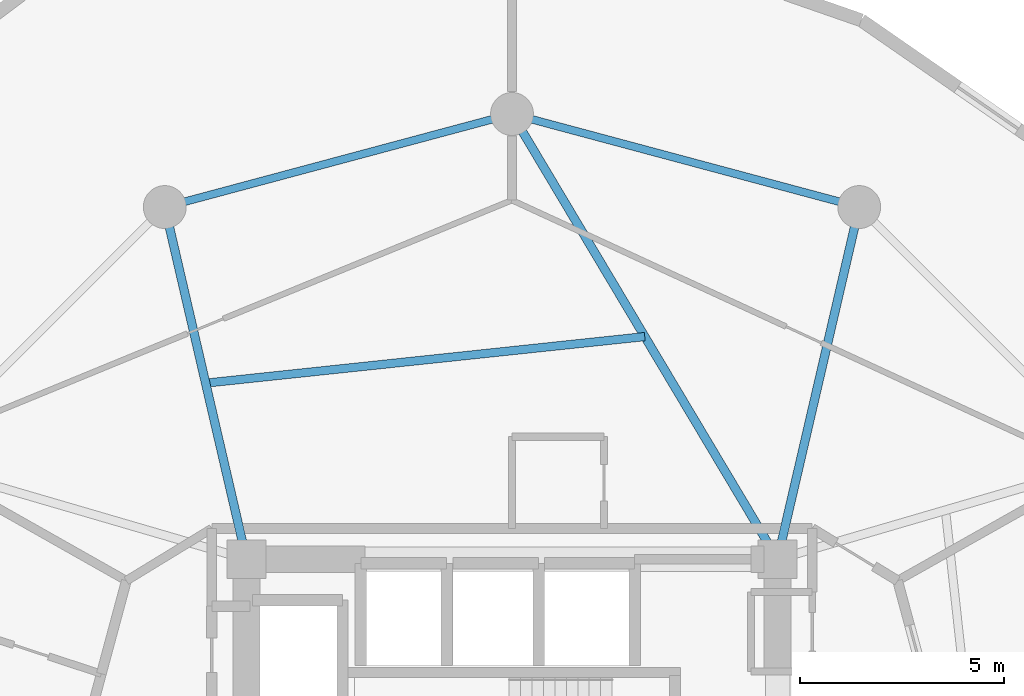
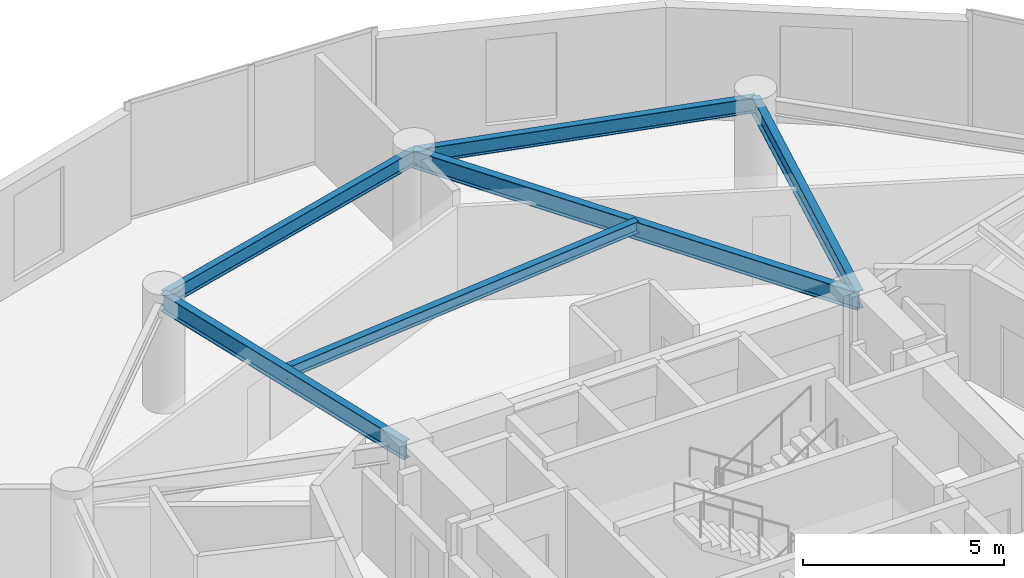
# One storey, part 14 of 23: 6 beams.
"""IFC4 building model written with IfcOpenShell, lengths in metres."""

import ifcopenshell
import ifcopenshell.guid

model = None  # the IFC model being written
_history = None  # IfcOwnerHistory: only IFC2X3 demands one
_inside = {}  # id of a spatial element -> (the spatial element, [elements in it])
_under = {}  # id of a project, library or spatial element -> (it, [spatial elements below it])
_declared = {}  # id of a project -> (the project, [libraries it declares])
_typed = {}  # id of a type object -> (the type object, [elements of that type])
_made_of = {}  # id of a material, layer set ... -> (it, [elements and type objects made of it])


def new_model(schema):
    """Start an empty IFC model of exactly this schema.

    Asked for "IFC4X3", IfcOpenShell would pick the latest addendum, in which some entities
    have other attributes; the version numbers below select the first issue.
    IFC2X3 requires an IfcOwnerHistory on every rooted entity: one is made here for all.
    """
    global model, _history
    if schema == "IFC4X3":
        model = ifcopenshell.file(schema_version=(4, 3, 0, 0))
    else:
        model = ifcopenshell.file(schema=schema)
    _inside.clear()
    _under.clear()
    _declared.clear()
    _typed.clear()
    _made_of.clear()
    _history = None
    if model.schema == "IFC2X3":
        org = make("IfcOrganization", Name="unknown")
        user = make(
            "IfcPersonAndOrganization",
            ThePerson=make("IfcPerson", FamilyName="unknown"),
            TheOrganization=org,
        )
        app = make(
            "IfcApplication",
            ApplicationDeveloper=org,
            Version="unknown",
            ApplicationFullName="unknown",
            ApplicationIdentifier="unknown",
        )
        _history = make(
            "IfcOwnerHistory",
            OwningUser=user,
            OwningApplication=app,
            ChangeAction="ADDED",
            CreationDate=0,
        )
    return model


def make(cls, **values):
    """One entity of the class cls with the attributes given. An attribute that is None is left unset."""
    return model.create_entity(
        cls, **{name: value for name, value in values.items() if value is not None}
    )


def rooted(cls, **values):
    """An entity with a GlobalId (a new one), such as an element, a storey or a relation."""
    return make(cls, GlobalId=ifcopenshell.guid.new(), OwnerHistory=_history, **values)


def si_unit(unit_type, name, prefix=None):
    """IfcSIUnit, for example si_unit("LENGTHUNIT", "METRE", prefix="MILLI")."""
    return make("IfcSIUnit", UnitType=unit_type, Prefix=prefix, Name=name)


def assignment(units):
    """IfcUnitAssignment: the units of a project."""
    return None if units is None else make("IfcUnitAssignment", Units=units)


def point(xyz):
    """IfcCartesianPoint."""
    return None if xyz is None else make("IfcCartesianPoint", Coordinates=xyz)


def direction(xyz):
    """IfcDirection."""
    return None if xyz is None else make("IfcDirection", DirectionRatios=xyz)


def frame(location, z_axis=None, x_axis=None):
    """IfcAxis2Placement3D, a coordinate frame: its origin and axes. An axis left out is left unset."""
    return make(
        "IfcAxis2Placement3D",
        Location=point(location),
        Axis=direction(z_axis),
        RefDirection=direction(x_axis),
    )


def frame_2d(location, x_axis=None):
    """IfcAxis2Placement2D, a coordinate frame in the plane: its origin and x axis."""
    return make(
        "IfcAxis2Placement2D", Location=point(location), RefDirection=direction(x_axis)
    )


def origin():
    """The frame at (0, 0, 0) with its axes left unset."""
    return frame((0.0, 0.0, 0.0))


def origin_2d():
    """The frame at (0, 0) in the plane with its x axis left unset."""
    return frame_2d((0.0, 0.0))


def place(relative_to, where):
    """IfcLocalPlacement: puts the frame where relative to a parent placement (None: the world)."""
    return make(
        "IfcLocalPlacement", PlacementRelTo=relative_to, RelativePlacement=where
    )


def context(
    kind, dimensions, precision=None, world=None, true_north=None, identifier=None
):
    """IfcGeometricRepresentationContext, for example the 3D "Model" context."""
    return make(
        "IfcGeometricRepresentationContext",
        ContextIdentifier=identifier,
        ContextType=kind,
        CoordinateSpaceDimension=dimensions,
        Precision=precision,
        WorldCoordinateSystem=world,
        TrueNorth=true_north,
    )


def subcontext(parent, identifier, kind, view, scale=None):
    """IfcGeometricRepresentationSubContext, for example "Body" below "Model"."""
    return make(
        "IfcGeometricRepresentationSubContext",
        ContextIdentifier=identifier,
        ContextType=kind,
        ParentContext=parent,
        TargetScale=scale,
        TargetView=view,
    )


def project(units=None, contexts=None):
    """IfcProject with its units and contexts."""
    return rooted(
        "IfcProject",
        Name="project",
        RepresentationContexts=contexts,
        UnitsInContext=assignment(units),
    )


def spatial(cls, under=None, at=None, **own):
    """A site, building, storey or space (cls), placed at a placement, below another one or the project."""
    s = rooted(cls, ObjectPlacement=at, **own)
    if under is not None:
        _under.setdefault(under.id(), (under, []))[1].append(s)
    return s


def profile(cls, at=None, kind="AREA", **sizes):
    """A parametric profile (cls). Its sizes go by their IFC names, for example OverallWidth=200.0."""
    return make(cls, ProfileType=kind, Position=at, **sizes)


def i_section(**sizes):
    """IfcIShapeProfileDef."""
    return profile("IfcIShapeProfileDef", **sizes)


def extrude(swept, where, along, depth):
    """IfcExtrudedAreaSolid: the profile swept, set in the frame where, extruded along a direction by depth."""
    return make(
        "IfcExtrudedAreaSolid",
        SweptArea=swept,
        Position=where,
        ExtrudedDirection=direction(along),
        Depth=depth,
    )


def shape(context_of_items, identifier, shape_type, items):
    """IfcShapeRepresentation: the items that make up one representation, for example the "Body"."""
    return make(
        "IfcShapeRepresentation",
        ContextOfItems=context_of_items,
        RepresentationIdentifier=identifier,
        RepresentationType=shape_type,
        Items=items,
    )


def material(Name=None, Category=None):
    """IfcMaterial."""
    return make("IfcMaterial", Name=Name, Category=Category)


def material_profile(
    of_material, cross_section, Name=None, Category=None, Priority=None
):
    """IfcMaterialProfile: a cross section and its material."""
    return make(
        "IfcMaterialProfile",
        Name=Name,
        Material=of_material,
        Profile=cross_section,
        Priority=Priority,
        Category=Category,
    )


def profile_set(profiles, Name=None, composite=None):
    """IfcMaterialProfileSet."""
    return make(
        "IfcMaterialProfileSet",
        Name=Name,
        MaterialProfiles=profiles,
        CompositeProfile=composite,
    )


def made_of(thing, what):
    """Note that an element or type object is made of a material, layer set ...; save() writes the relation."""
    if what is not None:
        _made_of.setdefault(what.id(), (what, []))[1].append(thing)
    return thing


def type_object(cls, material=None, **own):
    """A type object (cls), such as IfcWallType, which elements share."""
    return made_of(rooted(cls, **own), material)


def element(
    cls,
    number,
    at=None,
    inside=None,
    cuts=None,
    type_object=None,
    material=None,
    context=None,
    identifier="Body",
    shape_type=None,
    held_by="IfcProductDefinitionShape",
    body=None,
    shapes=None,
    **own,
):
    """One element of the class cls, such as IfcWall. Its Tag is "e" and its number.

    at: its placement. inside: the storey or other place that contains it. cuts: it is an
    opening in that element (IfcRelVoidsElement). A single representation is given by context,
    identifier, shape_type and body (its items); several are given by shapes. held_by: the class
    of the entity that holds the representations. save() writes the other relations.
    """
    e = rooted(cls, Tag="e%d" % number, ObjectPlacement=at, **own)
    if body is not None:
        shapes = [shape(context, identifier, shape_type, body)]
    if shapes is not None:
        e.Representation = make(held_by, Representations=shapes)
    if inside is not None:
        _inside.setdefault(inside.id(), (inside, []))[1].append(e)
    if cuts is not None:
        rooted(
            "IfcRelVoidsElement", RelatingBuildingElement=cuts, RelatedOpeningElement=e
        )
    if type_object is not None:
        _typed.setdefault(type_object.id(), (type_object, []))[1].append(e)
    return made_of(e, material)


def aggregate(whole, parts):
    """IfcRelAggregates: a whole, such as a stair, and the parts it consists of."""
    return rooted("IfcRelAggregates", RelatingObject=whole, RelatedObjects=parts)


def save(model, path):
    """Write the relations noted so far, then the file.

    IfcRelAggregates (storeys below a building ...), IfcRelContainedInSpatialStructure (elements
    in a storey), IfcRelDefinesByType, IfcRelAssociatesMaterial and IfcRelDeclares: one each for
    every whole, place, type object, material and project.
    """
    for whole, parts in _under.values():
        aggregate(whole, parts)
    for where, things in _inside.values():
        rooted(
            "IfcRelContainedInSpatialStructure",
            RelatedElements=things,
            RelatingStructure=where,
        )
    for kind, things in _typed.values():
        rooted("IfcRelDefinesByType", RelatedObjects=things, RelatingType=kind)
    for what, things in _made_of.values():
        rooted("IfcRelAssociatesMaterial", RelatedObjects=things, RelatingMaterial=what)
    for by, libraries in _declared.values():
        rooted("IfcRelDeclares", RelatingContext=by, RelatedDefinitions=libraries)
    model.write(path)


model = new_model("IFC4")

# Units and contexts
model_context = context("Model", 3, precision=1e-05, world=origin(), true_north=direction((0.0, 1.0)))
body_context = subcontext(model_context, "Body", "Model", "MODEL_VIEW")
ifc_project = project(units=[si_unit("LENGTHUNIT", "METRE"), si_unit("AREAUNIT", "SQUARE_METRE"), si_unit("VOLUMEUNIT", "CUBIC_METRE"), si_unit("PLANEANGLEUNIT", "RADIAN"), si_unit("MASSUNIT", "GRAM", prefix="KILO")], contexts=[model_context])

# Site, building, storey
site_placement = place(None, origin())
site = spatial("IfcSite", under=ifc_project, at=site_placement, CompositionType="ELEMENT")
building_placement = place(site_placement, origin())
building = spatial("IfcBuilding", under=site, at=building_placement, Name="Solvirekh Grand Hotel", CompositionType="ELEMENT")
storey_placement = place(building_placement, frame((0.0, 0.0, 138.60009765625)))
storey = spatial("IfcBuildingStorey", under=building, at=storey_placement, Name="L35", CompositionType="ELEMENT", Elevation=138.60009765625)

# Beams
ifc_material = material(Name="Steel S355", Category="steel")
ifc_material_profile_1 = material_profile(ifc_material, i_section(OverallWidth=0.2119140625, OverallDepth=0.5439453125, WebThickness=0.011962890625, FlangeThickness=0.01904296875, FilletRadius=0.013916015625, at=origin_2d()), Name="W530X123")
ifc_profile_set_1 = profile_set([ifc_material_profile_1], Name="Steel S355")
beam_type_1 = type_object("IfcBeamType", Name="Beam_Radial_W530H", PredefinedType="BEAM", material=ifc_profile_set_1)
beam_1_placement = place(storey_placement, frame((6.5, 6.10009765625, 3.077880859375), z_axis=(0.225969390542, 0.974134402707, 0.0), x_axis=(-0.974134402707, 0.225969390542, 0.0)))
element("IfcBeam", 1, at=beam_1_placement, inside=storey, type_object=beam_type_1, Name="L35 radial floor beam R03", PredefinedType="BEAM", context=body_context, shape_type="SweptSolid", body=[
    extrude(i_section(OverallWidth=0.2119140625, OverallDepth=0.5439453125, WebThickness=0.011962890625, FlangeThickness=0.01904296875, FilletRadius=0.013916015625, at=origin_2d()), origin(), (0.0, 0.0, 1.0), 8.850830078125),
])
beam_2_placement = place(storey_placement, frame((6.5, 6.10009765625, 3.077880859375), z_axis=(-0.512179721377, 0.858878299301, 0.0), x_axis=(-0.858878299301, -0.512179721377, 0.0)))
element("IfcBeam", 2, at=beam_2_placement, inside=storey, type_object=beam_type_1, Name="L35 radial floor beam R04", PredefinedType="BEAM", context=body_context, shape_type="SweptSolid", body=[
    extrude(i_section(OverallWidth=0.2119140625, OverallDepth=0.5439453125, WebThickness=0.011962890625, FlangeThickness=0.01904296875, FilletRadius=0.013916015625, at=origin_2d()), origin(), (0.0, 0.0, 1.0), 12.69091796875),
])
beam_3_placement = place(storey_placement, frame((-6.5, 6.10009765625, 3.077880859375), z_axis=(-0.225969390542, 0.974134402707, 0.0), x_axis=(-0.974134402707, -0.225969390542, 0.0)))
element("IfcBeam", 3, at=beam_3_placement, inside=storey, type_object=beam_type_1, Name="L35 radial floor beam R05", PredefinedType="BEAM", context=body_context, shape_type="SweptSolid", body=[
    extrude(i_section(OverallWidth=0.2119140625, OverallDepth=0.5439453125, WebThickness=0.011962890625, FlangeThickness=0.01904296875, FilletRadius=0.013916015625, at=origin_2d()), origin(), (0.0, 0.0, 1.0), 8.850830078125),
])
ifc_material_profile_2 = material_profile(ifc_material, i_section(OverallWidth=0.2041015625, OverallDepth=0.35009765625, WebThickness=0.009033203125, FlangeThickness=0.014892578125, FilletRadius=0.010986328125, at=origin_2d()), Name="W360X72")
ifc_profile_set_2 = profile_set([ifc_material_profile_2], Name="Steel S355")
beam_type_2 = type_object("IfcBeamType", Name="Joist_Floor_W360", PredefinedType="JOIST", material=ifc_profile_set_2)
beam_4_placement = place(storey_placement, frame((3.25, 11.550048828125, 3.1748046875), z_axis=(-0.994432198761, -0.105378375714, 0.0), x_axis=(0.105378375714, -0.994432198761, 0.0)))
element("IfcBeam", 4, at=beam_4_placement, inside=storey, type_object=beam_type_2, Name="L35 secondary composite floor joist 4", PredefinedType="JOIST", context=body_context, shape_type="SweptSolid", body=[
    extrude(i_section(OverallWidth=0.2041015625, OverallDepth=0.35009765625, WebThickness=0.009033203125, FlangeThickness=0.014892578125, FilletRadius=0.010986328125, at=origin_2d()), origin(), (0.0, 0.0, 1.0), 10.810302734375),
])
ifc_material_profile_3 = material_profile(ifc_material, i_section(OverallWidth=0.18994140625, OverallDepth=0.45703125, WebThickness=0.009033203125, FlangeThickness=0.013916015625, FilletRadius=0.012939453125, at=origin_2d()), Name="W460X74")
ifc_profile_set_3 = profile_set([ifc_material_profile_3], Name="Steel S355")
beam_type_3 = type_object("IfcBeamType", Name="Spandrel_Ring_W460", PredefinedType="SPANDREL", material=ifc_profile_set_3)
for number, where, z_axis, x_axis, name in (
    (5, (8.5, 14.721923828125, 3.120849609375), (-0.965911391906, 0.258872908946, 0.0), (-0.258872908946, -0.965911391906, 0.0), "L35 perimeter spandrel beam 3"),
    (6, (0.0, 17.0, 3.120849609375), (-0.965911391906, -0.258872908946, 0.0), (0.258872908946, -0.965911391906, 0.0), "L35 perimeter spandrel beam 4"),
):
    element("IfcBeam", number, at=place(storey_placement, frame(where, z_axis=z_axis, x_axis=x_axis)), inside=storey, type_object=beam_type_3, Name=name, PredefinedType="SPANDREL", context=body_context, shape_type="SweptSolid", body=[
        extrude(i_section(OverallWidth=0.18994140625, OverallDepth=0.45703125, WebThickness=0.009033203125, FlangeThickness=0.013916015625, FilletRadius=0.012939453125, at=origin_2d()), origin(), (0.0, 0.0, 1.0), 8.800048828125),
    ])

save(model, "model.ifc")
